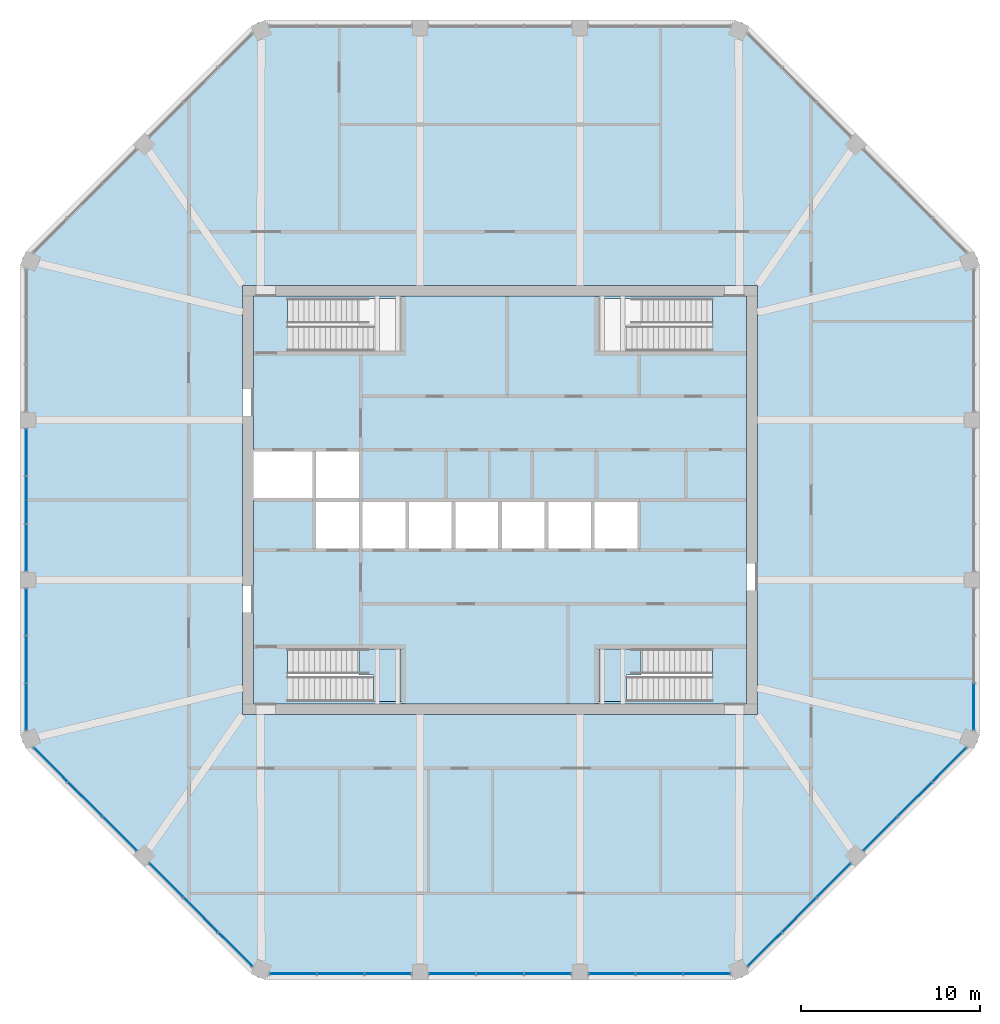
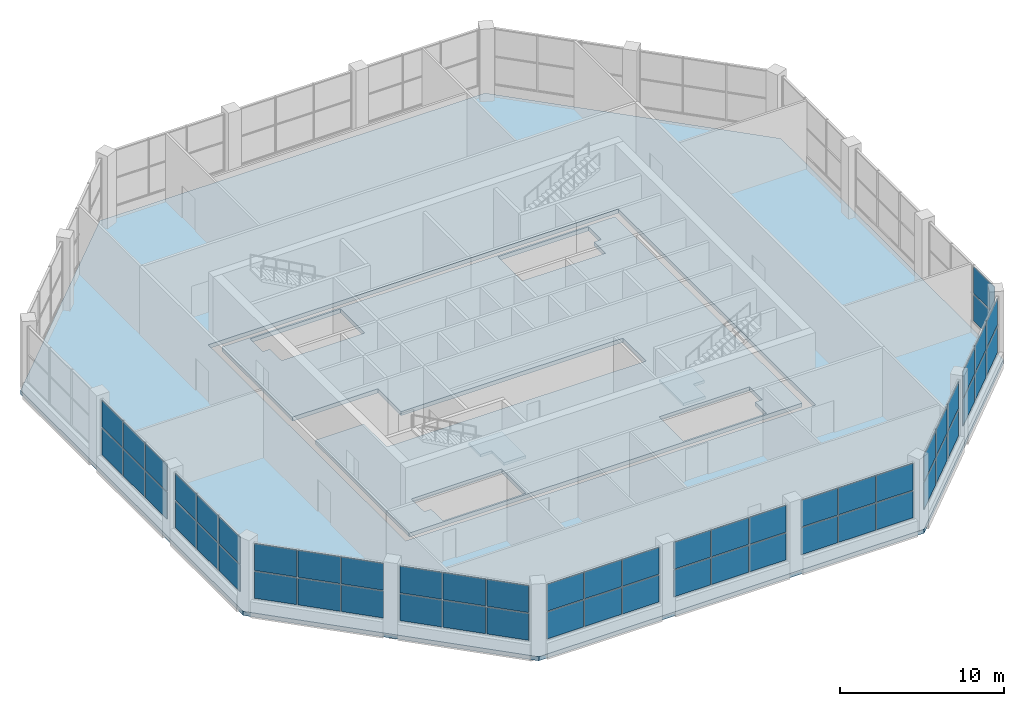
# One storey, part 9 of 15: 56 plates, 4 slabs, 12 elements without a shape of their own.
"""IFC4 building model written with IfcOpenShell, lengths in metres."""

from ifc_helpers import new_model, si_unit, direction, frame, origin, origin_2d, place, context, subcontext, project, spatial, polyline, rectangle, outline, extrude, material, layer, layer_set, type_object, element, aggregate, save


model = new_model("IFC4")

# Units and contexts
model_context = context("Model", 3, precision=1e-05, world=origin(), true_north=direction((0.0, 1.0)))
body_context = subcontext(model_context, "Body", "Model", "MODEL_VIEW")
ifc_project = project(units=[si_unit("LENGTHUNIT", "METRE"), si_unit("AREAUNIT", "SQUARE_METRE"), si_unit("VOLUMEUNIT", "CUBIC_METRE"), si_unit("PLANEANGLEUNIT", "RADIAN"), si_unit("MASSUNIT", "GRAM", prefix="KILO")], contexts=[model_context])

# Site, building, storey
site_placement = place(None, origin())
site = spatial("IfcSite", under=ifc_project, at=site_placement, CompositionType="ELEMENT")
building_placement = place(site_placement, origin())
building = spatial("IfcBuilding", under=site, at=building_placement, Name="Msitu Wima Residences", CompositionType="ELEMENT")
storey_placement = place(building_placement, frame((0.0, 0.0, 314.699951171875)))
storey = spatial("IfcBuildingStorey", under=building, at=storey_placement, Name="L73", CompositionType="ELEMENT", Elevation=314.699951171875)

# Slab
ifc_material_1 = material(Name="Concrete C40/50", Category="concrete")
ifc_layer_1 = layer(ifc_material_1, 0.300048828125)
ifc_layer_set_1 = layer_set([ifc_layer_1], Name="Concrete C40/50")
slab_type_1 = type_object("IfcSlabType", Name="Core floor CF300", PredefinedType="FLOOR", material=ifc_layer_set_1)
slab_1_placement = place(storey_placement, frame((0.0, 0.0, -0.300048828125)))
element("IfcSlab", 1, at=slab_1_placement, inside=storey, type_object=slab_type_1, Name="Core floor", PredefinedType="FLOOR", context=body_context, shape_type="SweptSolid", body=[
    extrude(outline(polyline([(-13.800048828125, 11.39990234375), (-13.800048828125, 2.800048828125), (-10.39990234375, 2.800048828125), (-7.800048828125, 2.800048828125), (-7.800048828125, 0.0), (-5.199951171875, 0.0), (-2.60009765625, 0.0), (0.0, 0.0), (2.60009765625, 0.0), (5.199951171875, 0.0), (7.800048828125, 0.0), (7.800048828125, -2.800048828125), (5.199951171875, -2.800048828125), (2.60009765625, -2.800048828125), (0.0, -2.800048828125), (-2.60009765625, -2.800048828125), (-5.199951171875, -2.800048828125), (-7.800048828125, -2.800048828125), (-10.39990234375, -2.800048828125), (-10.39990234375, 0.0), (-13.800048828125, 0.0), (-13.800048828125, -11.39990234375), (13.800048828125, -11.39990234375), (13.800048828125, 11.39990234375), (-13.800048828125, 11.39990234375)]), holes=[polyline([(-11.375, -11.27490234375), (-11.375, -9.875), (-11.87451171875, -9.875), (-11.87451171875, -8.324951171875), (-5.52490234375, -8.324951171875), (-5.52490234375, -11.27490234375), (-11.375, -11.27490234375)]), polyline([(-11.375, 8.324951171875), (-11.375, 9.72509765625), (-11.87451171875, 9.72509765625), (-11.87451171875, 11.27490234375), (-5.52490234375, 11.27490234375), (-5.52490234375, 8.324951171875), (-11.375, 8.324951171875)]), polyline([(11.375, -9.875), (11.375, -11.27490234375), (5.52490234375, -11.27490234375), (5.52490234375, -8.324951171875), (11.87451171875, -8.324951171875), (11.87451171875, -9.875), (11.375, -9.875)]), polyline([(11.375, 9.72509765625), (11.375, 8.324951171875), (5.52490234375, 8.324951171875), (5.52490234375, 11.27490234375), (11.87451171875, 11.27490234375), (11.87451171875, 9.72509765625), (11.375, 9.72509765625)])]), origin(), (0.0, 0.0, 1.0), 0.300048828125),
])

# Curtain wall, plates
ifc_material_2 = material(Name="Anodised aluminium, bronze finish, solar control laminated double glazing", Category="aluminium")
curtain_wall_type = type_object("IfcCurtainWallType", Name="Curtain wall CW3 top lounge wall", PredefinedType="NOTDEFINED", material=ifc_material_2)
curtain_wall_1_placement = place(storey_placement, origin())
curtain_wall_1 = element("IfcCurtainWall", 2, at=curtain_wall_1_placement, inside=storey, type_object=curtain_wall_type, Name="Curtain wall CW3 L73 E0", PredefinedType="NOTDEFINED")
ifc_material_3 = material(Name="Solar control laminated double glazing", Category="glass")
ifc_layer_2 = layer(ifc_material_3, 0.0400390625)
ifc_layer_set_2 = layer_set([ifc_layer_2], Name="Solar control laminated double glazing")
plate_type = type_object("IfcPlateType", Name="Glass panel CW3 40", PredefinedType="CURTAIN_PANEL", material=ifc_layer_set_2)
plate_1_placement = place(storey_placement, frame((26.5, -11.566650390625, 0.97509765625), z_axis=(0.0, 0.0, 1.0), x_axis=(0.0, 1.0, 0.0)))
plate_1 = element("IfcPlate", 3, at=plate_1_placement, type_object=plate_type, Name="CW3 panel 1.1", PredefinedType="CURTAIN_PANEL", context=body_context, shape_type="SweptSolid", body=[
    extrude(rectangle(XDim=2.55419921875, YDim=0.0400390625, at=origin_2d()), origin(), (0.0, 0.0, 1.0), 1.987548828125),
])
plate_2_placement = place(storey_placement, frame((26.5, -11.566650390625, 3.03759765625), z_axis=(0.0, 0.0, 1.0), x_axis=(0.0, 1.0, 0.0)))
plate_2 = element("IfcPlate", 4, at=plate_2_placement, type_object=plate_type, Name="CW3 panel 1.2", PredefinedType="CURTAIN_PANEL", context=body_context, shape_type="SweptSolid", body=[
    extrude(rectangle(XDim=2.55419921875, YDim=0.0400390625, at=origin_2d()), origin(), (0.0, 0.0, 1.0), 1.987548828125),
])
aggregate(curtain_wall_1, [plate_1, plate_2])

curtain_wall_2_placement = place(storey_placement, origin())
curtain_wall_2 = element("IfcCurtainWall", 5, at=curtain_wall_2_placement, inside=storey, type_object=curtain_wall_type, Name="Curtain wall CW3 L73 W1", PredefinedType="NOTDEFINED")
plate_3_placement = place(storey_placement, frame((-26.5, 2.660400390625, 0.97509765625), z_axis=(0.0, 0.0, 1.0), x_axis=(0.0, -1.0, 0.0)))
plate_3 = element("IfcPlate", 6, at=plate_3_placement, type_object=plate_type, Name="CW3 panel 1.1", PredefinedType="CURTAIN_PANEL", context=body_context, shape_type="SweptSolid", body=[
    extrude(rectangle(XDim=2.566650390625, YDim=0.0400390625, at=origin_2d()), origin(), (0.0, 0.0, 1.0), 1.987548828125),
])
plate_4_placement = place(storey_placement, frame((-26.5, 2.660400390625, 3.03759765625), z_axis=(0.0, 0.0, 1.0), x_axis=(0.0, -1.0, 0.0)))
plate_4 = element("IfcPlate", 7, at=plate_4_placement, type_object=plate_type, Name="CW3 panel 1.2", PredefinedType="CURTAIN_PANEL", context=body_context, shape_type="SweptSolid", body=[
    extrude(rectangle(XDim=2.566650390625, YDim=0.0400390625, at=origin_2d()), origin(), (0.0, 0.0, 1.0), 1.987548828125),
])
plate_5_placement = place(storey_placement, frame((-26.5, 0.0, 0.97509765625), z_axis=(0.0, 0.0, 1.0), x_axis=(0.0, -1.0, 0.0)))
plate_5 = element("IfcPlate", 8, at=plate_5_placement, type_object=plate_type, Name="CW3 panel 2.1", PredefinedType="CURTAIN_PANEL", context=body_context, shape_type="SweptSolid", body=[
    extrude(rectangle(XDim=2.60400390625, YDim=0.0400390625, at=origin_2d()), origin(), (0.0, 0.0, 1.0), 1.987548828125),
])
plate_6_placement = place(storey_placement, frame((-26.5, 0.0, 3.03759765625), z_axis=(0.0, 0.0, 1.0), x_axis=(0.0, -1.0, 0.0)))
plate_6 = element("IfcPlate", 9, at=plate_6_placement, type_object=plate_type, Name="CW3 panel 2.2", PredefinedType="CURTAIN_PANEL", context=body_context, shape_type="SweptSolid", body=[
    extrude(rectangle(XDim=2.60400390625, YDim=0.0400390625, at=origin_2d()), origin(), (0.0, 0.0, 1.0), 1.987548828125),
])
plate_7_placement = place(storey_placement, frame((-26.5, -2.660400390625, 0.97509765625), z_axis=(0.0, 0.0, 1.0), x_axis=(0.0, -1.0, 0.0)))
plate_7 = element("IfcPlate", 10, at=plate_7_placement, type_object=plate_type, Name="CW3 panel 3.1", PredefinedType="CURTAIN_PANEL", context=body_context, shape_type="SweptSolid", body=[
    extrude(rectangle(XDim=2.566650390625, YDim=0.0400390625, at=origin_2d()), origin(), (0.0, 0.0, 1.0), 1.987548828125),
])
plate_8_placement = place(storey_placement, frame((-26.5, -2.660400390625, 3.03759765625), z_axis=(0.0, 0.0, 1.0), x_axis=(0.0, -1.0, 0.0)))
plate_8 = element("IfcPlate", 11, at=plate_8_placement, type_object=plate_type, Name="CW3 panel 3.2", PredefinedType="CURTAIN_PANEL", context=body_context, shape_type="SweptSolid", body=[
    extrude(rectangle(XDim=2.566650390625, YDim=0.0400390625, at=origin_2d()), origin(), (0.0, 0.0, 1.0), 1.987548828125),
])
aggregate(curtain_wall_2, [plate_3, plate_4, plate_5, plate_6, plate_7, plate_8])

curtain_wall_3_placement = place(storey_placement, origin())
curtain_wall_3 = element("IfcCurtainWall", 12, at=curtain_wall_3_placement, inside=storey, type_object=curtain_wall_type, Name="Curtain wall CW3 L73 W2", PredefinedType="NOTDEFINED")
plate_9_placement = place(storey_placement, frame((-26.5, -6.270751953125, 0.97509765625), z_axis=(0.0, 0.0, 1.0), x_axis=(0.0, -1.0, 0.0)))
plate_9 = element("IfcPlate", 13, at=plate_9_placement, type_object=plate_type, Name="CW3 panel 1.1", PredefinedType="CURTAIN_PANEL", context=body_context, shape_type="SweptSolid", body=[
    extrude(rectangle(XDim=2.55419921875, YDim=0.0400390625, at=origin_2d()), origin(), (0.0, 0.0, 1.0), 1.987548828125),
])
plate_10_placement = place(storey_placement, frame((-26.5, -6.270751953125, 3.03759765625), z_axis=(0.0, 0.0, 1.0), x_axis=(0.0, -1.0, 0.0)))
plate_10 = element("IfcPlate", 14, at=plate_10_placement, type_object=plate_type, Name="CW3 panel 1.2", PredefinedType="CURTAIN_PANEL", context=body_context, shape_type="SweptSolid", body=[
    extrude(rectangle(XDim=2.55419921875, YDim=0.0400390625, at=origin_2d()), origin(), (0.0, 0.0, 1.0), 1.987548828125),
])
plate_11_placement = place(storey_placement, frame((-26.5, -8.918701171875, 0.97509765625), z_axis=(0.0, 0.0, 1.0), x_axis=(0.0, -1.0, 0.0)))
plate_11 = element("IfcPlate", 15, at=plate_11_placement, type_object=plate_type, Name="CW3 panel 2.1", PredefinedType="CURTAIN_PANEL", context=body_context, shape_type="SweptSolid", body=[
    extrude(rectangle(XDim=2.591796875, YDim=0.0400390625, at=origin_2d()), origin(), (0.0, 0.0, 1.0), 1.987548828125),
])
plate_12_placement = place(storey_placement, frame((-26.5, -8.918701171875, 3.03759765625), z_axis=(0.0, 0.0, 1.0), x_axis=(0.0, -1.0, 0.0)))
plate_12 = element("IfcPlate", 16, at=plate_12_placement, type_object=plate_type, Name="CW3 panel 2.2", PredefinedType="CURTAIN_PANEL", context=body_context, shape_type="SweptSolid", body=[
    extrude(rectangle(XDim=2.591796875, YDim=0.0400390625, at=origin_2d()), origin(), (0.0, 0.0, 1.0), 1.987548828125),
])
plate_13_placement = place(storey_placement, frame((-26.5, -11.566650390625, 0.97509765625), z_axis=(0.0, 0.0, 1.0), x_axis=(0.0, -1.0, 0.0)))
plate_13 = element("IfcPlate", 17, at=plate_13_placement, type_object=plate_type, Name="CW3 panel 3.1", PredefinedType="CURTAIN_PANEL", context=body_context, shape_type="SweptSolid", body=[
    extrude(rectangle(XDim=2.55419921875, YDim=0.0400390625, at=origin_2d()), origin(), (0.0, 0.0, 1.0), 1.987548828125),
])
plate_14_placement = place(storey_placement, frame((-26.5, -11.566650390625, 3.03759765625), z_axis=(0.0, 0.0, 1.0), x_axis=(0.0, -1.0, 0.0)))
plate_14 = element("IfcPlate", 18, at=plate_14_placement, type_object=plate_type, Name="CW3 panel 3.2", PredefinedType="CURTAIN_PANEL", context=body_context, shape_type="SweptSolid", body=[
    extrude(rectangle(XDim=2.55419921875, YDim=0.0400390625, at=origin_2d()), origin(), (0.0, 0.0, 1.0), 1.987548828125),
])
aggregate(curtain_wall_3, [plate_9, plate_10, plate_11, plate_12, plate_13, plate_14])

curtain_wall_4_placement = place(storey_placement, origin())
curtain_wall_4 = element("IfcCurtainWall", 19, at=curtain_wall_4_placement, inside=storey, type_object=curtain_wall_type, Name="Curtain wall CW3 L73 SW0", PredefinedType="NOTDEFINED")
plate_15_placement = place(storey_placement, frame((-25.140625, -14.806640625, 0.97509765625), z_axis=(0.0, 0.0, 1.0), x_axis=(0.707106781187, -0.707106781187, 0.0)))
plate_15 = element("IfcPlate", 20, at=plate_15_placement, type_object=plate_type, Name="CW3 panel 1.1", PredefinedType="CURTAIN_PANEL", context=body_context, shape_type="SweptSolid", body=[
    extrude(rectangle(XDim=2.637939453125, YDim=0.0400390625, at=origin_2d()), origin(), (0.0, 0.0, 1.0), 1.987548828125),
])
plate_16_placement = place(storey_placement, frame((-25.140625, -14.806640625, 3.03759765625), z_axis=(0.0, 0.0, 1.0), x_axis=(0.707106781187, -0.707106781187, 0.0)))
plate_16 = element("IfcPlate", 21, at=plate_16_placement, type_object=plate_type, Name="CW3 panel 1.2", PredefinedType="CURTAIN_PANEL", context=body_context, shape_type="SweptSolid", body=[
    extrude(rectangle(XDim=2.637939453125, YDim=0.0400390625, at=origin_2d()), origin(), (0.0, 0.0, 1.0), 1.987548828125),
])
plate_17_placement = place(storey_placement, frame((-23.208984375, -16.73828125, 0.97509765625), z_axis=(0.0, 0.0, 1.0), x_axis=(0.707106781187, -0.707106781187, 0.0)))
plate_17 = element("IfcPlate", 22, at=plate_17_placement, type_object=plate_type, Name="CW3 panel 2.1", PredefinedType="CURTAIN_PANEL", context=body_context, shape_type="SweptSolid", body=[
    extrude(rectangle(XDim=2.67529296875, YDim=0.0400390625, at=origin_2d()), origin(), (0.0, 0.0, 1.0), 1.987548828125),
])
plate_18_placement = place(storey_placement, frame((-23.208984375, -16.73828125, 3.03759765625), z_axis=(0.0, 0.0, 1.0), x_axis=(0.707106781187, -0.707106781187, 0.0)))
plate_18 = element("IfcPlate", 23, at=plate_18_placement, type_object=plate_type, Name="CW3 panel 2.2", PredefinedType="CURTAIN_PANEL", context=body_context, shape_type="SweptSolid", body=[
    extrude(rectangle(XDim=2.67529296875, YDim=0.0400390625, at=origin_2d()), origin(), (0.0, 0.0, 1.0), 1.987548828125),
])
plate_19_placement = place(storey_placement, frame((-21.277587890625, -18.669677734375, 0.97509765625), z_axis=(0.0, 0.0, 1.0), x_axis=(0.707106781187, -0.707106781187, 0.0)))
plate_19 = element("IfcPlate", 24, at=plate_19_placement, type_object=plate_type, Name="CW3 panel 3.1", PredefinedType="CURTAIN_PANEL", context=body_context, shape_type="SweptSolid", body=[
    extrude(rectangle(XDim=2.637939453125, YDim=0.0400390625, at=origin_2d()), origin(), (0.0, 0.0, 1.0), 1.987548828125),
])
plate_20_placement = place(storey_placement, frame((-21.277587890625, -18.669677734375, 3.03759765625), z_axis=(0.0, 0.0, 1.0), x_axis=(0.707106781187, -0.707106781187, 0.0)))
plate_20 = element("IfcPlate", 25, at=plate_20_placement, type_object=plate_type, Name="CW3 panel 3.2", PredefinedType="CURTAIN_PANEL", context=body_context, shape_type="SweptSolid", body=[
    extrude(rectangle(XDim=2.637939453125, YDim=0.0400390625, at=origin_2d()), origin(), (0.0, 0.0, 1.0), 1.987548828125),
])
aggregate(curtain_wall_4, [plate_15, plate_16, plate_17, plate_18, plate_19, plate_20])

curtain_wall_5_placement = place(storey_placement, origin())
curtain_wall_5 = element("IfcCurtainWall", 26, at=curtain_wall_5_placement, inside=storey, type_object=curtain_wall_type, Name="Curtain wall CW3 L73 SW1", PredefinedType="NOTDEFINED")
plate_21_placement = place(storey_placement, frame((-18.669677734375, -21.277587890625, 0.97509765625), z_axis=(0.0, 0.0, 1.0), x_axis=(0.707106841783, -0.707106720591, 0.0)))
plate_21 = element("IfcPlate", 27, at=plate_21_placement, type_object=plate_type, Name="CW3 panel 1.1", PredefinedType="CURTAIN_PANEL", context=body_context, shape_type="SweptSolid", body=[
    extrude(rectangle(XDim=2.637939453125, YDim=0.0400390625, at=origin_2d()), origin(), (0.0, 0.0, 1.0), 1.987548828125),
])
plate_22_placement = place(storey_placement, frame((-18.669677734375, -21.277587890625, 3.03759765625), z_axis=(0.0, 0.0, 1.0), x_axis=(0.707106841783, -0.707106720591, 0.0)))
plate_22 = element("IfcPlate", 28, at=plate_22_placement, type_object=plate_type, Name="CW3 panel 1.2", PredefinedType="CURTAIN_PANEL", context=body_context, shape_type="SweptSolid", body=[
    extrude(rectangle(XDim=2.637939453125, YDim=0.0400390625, at=origin_2d()), origin(), (0.0, 0.0, 1.0), 1.987548828125),
])
plate_23_placement = place(storey_placement, frame((-16.73828125, -23.208984375, 0.97509765625), z_axis=(0.0, 0.0, 1.0), x_axis=(0.707106841783, -0.707106720591, 0.0)))
plate_23 = element("IfcPlate", 29, at=plate_23_placement, type_object=plate_type, Name="CW3 panel 2.1", PredefinedType="CURTAIN_PANEL", context=body_context, shape_type="SweptSolid", body=[
    extrude(rectangle(XDim=2.67529296875, YDim=0.0400390625, at=origin_2d()), origin(), (0.0, 0.0, 1.0), 1.987548828125),
])
plate_24_placement = place(storey_placement, frame((-16.73828125, -23.208984375, 3.03759765625), z_axis=(0.0, 0.0, 1.0), x_axis=(0.707106841783, -0.707106720591, 0.0)))
plate_24 = element("IfcPlate", 30, at=plate_24_placement, type_object=plate_type, Name="CW3 panel 2.2", PredefinedType="CURTAIN_PANEL", context=body_context, shape_type="SweptSolid", body=[
    extrude(rectangle(XDim=2.67529296875, YDim=0.0400390625, at=origin_2d()), origin(), (0.0, 0.0, 1.0), 1.987548828125),
])
plate_25_placement = place(storey_placement, frame((-14.806640625, -25.140625, 0.97509765625), z_axis=(0.0, 0.0, 1.0), x_axis=(0.707106841783, -0.707106720591, 0.0)))
plate_25 = element("IfcPlate", 31, at=plate_25_placement, type_object=plate_type, Name="CW3 panel 3.1", PredefinedType="CURTAIN_PANEL", context=body_context, shape_type="SweptSolid", body=[
    extrude(rectangle(XDim=2.637939453125, YDim=0.0400390625, at=origin_2d()), origin(), (0.0, 0.0, 1.0), 1.987548828125),
])
plate_26_placement = place(storey_placement, frame((-14.806640625, -25.140625, 3.03759765625), z_axis=(0.0, 0.0, 1.0), x_axis=(0.707106841783, -0.707106720591, 0.0)))
plate_26 = element("IfcPlate", 32, at=plate_26_placement, type_object=plate_type, Name="CW3 panel 3.2", PredefinedType="CURTAIN_PANEL", context=body_context, shape_type="SweptSolid", body=[
    extrude(rectangle(XDim=2.637939453125, YDim=0.0400390625, at=origin_2d()), origin(), (0.0, 0.0, 1.0), 1.987548828125),
])
aggregate(curtain_wall_5, [plate_21, plate_22, plate_23, plate_24, plate_25, plate_26])

curtain_wall_6_placement = place(storey_placement, origin())
curtain_wall_6 = element("IfcCurtainWall", 33, at=curtain_wall_6_placement, inside=storey, type_object=curtain_wall_type, Name="Curtain wall CW3 L73 S0", PredefinedType="NOTDEFINED")
plate_27_placement = place(storey_placement, frame((-11.566650390625, -26.5, 0.97509765625), z_axis=(0.0, 0.0, 1.0), x_axis=(1.0, 0.0, 0.0)))
plate_27 = element("IfcPlate", 34, at=plate_27_placement, type_object=plate_type, Name="CW3 panel 1.1", PredefinedType="CURTAIN_PANEL", context=body_context, shape_type="SweptSolid", body=[
    extrude(rectangle(XDim=2.55419921875, YDim=0.0400390625, at=origin_2d()), origin(), (0.0, 0.0, 1.0), 1.987548828125),
])
plate_28_placement = place(storey_placement, frame((-11.566650390625, -26.5, 3.03759765625), z_axis=(0.0, 0.0, 1.0), x_axis=(1.0, 0.0, 0.0)))
plate_28 = element("IfcPlate", 35, at=plate_28_placement, type_object=plate_type, Name="CW3 panel 1.2", PredefinedType="CURTAIN_PANEL", context=body_context, shape_type="SweptSolid", body=[
    extrude(rectangle(XDim=2.55419921875, YDim=0.0400390625, at=origin_2d()), origin(), (0.0, 0.0, 1.0), 1.987548828125),
])
plate_29_placement = place(storey_placement, frame((-8.918701171875, -26.5, 0.97509765625), z_axis=(0.0, 0.0, 1.0), x_axis=(1.0, 0.0, 0.0)))
plate_29 = element("IfcPlate", 36, at=plate_29_placement, type_object=plate_type, Name="CW3 panel 2.1", PredefinedType="CURTAIN_PANEL", context=body_context, shape_type="SweptSolid", body=[
    extrude(rectangle(XDim=2.591796875, YDim=0.0400390625, at=origin_2d()), origin(), (0.0, 0.0, 1.0), 1.987548828125),
])
plate_30_placement = place(storey_placement, frame((-8.918701171875, -26.5, 3.03759765625), z_axis=(0.0, 0.0, 1.0), x_axis=(1.0, 0.0, 0.0)))
plate_30 = element("IfcPlate", 37, at=plate_30_placement, type_object=plate_type, Name="CW3 panel 2.2", PredefinedType="CURTAIN_PANEL", context=body_context, shape_type="SweptSolid", body=[
    extrude(rectangle(XDim=2.591796875, YDim=0.0400390625, at=origin_2d()), origin(), (0.0, 0.0, 1.0), 1.987548828125),
])
plate_31_placement = place(storey_placement, frame((-6.270751953125, -26.5, 0.97509765625), z_axis=(0.0, 0.0, 1.0), x_axis=(1.0, 0.0, 0.0)))
plate_31 = element("IfcPlate", 38, at=plate_31_placement, type_object=plate_type, Name="CW3 panel 3.1", PredefinedType="CURTAIN_PANEL", context=body_context, shape_type="SweptSolid", body=[
    extrude(rectangle(XDim=2.55419921875, YDim=0.0400390625, at=origin_2d()), origin(), (0.0, 0.0, 1.0), 1.987548828125),
])
plate_32_placement = place(storey_placement, frame((-6.270751953125, -26.5, 3.03759765625), z_axis=(0.0, 0.0, 1.0), x_axis=(1.0, 0.0, 0.0)))
plate_32 = element("IfcPlate", 39, at=plate_32_placement, type_object=plate_type, Name="CW3 panel 3.2", PredefinedType="CURTAIN_PANEL", context=body_context, shape_type="SweptSolid", body=[
    extrude(rectangle(XDim=2.55419921875, YDim=0.0400390625, at=origin_2d()), origin(), (0.0, 0.0, 1.0), 1.987548828125),
])
aggregate(curtain_wall_6, [plate_27, plate_28, plate_29, plate_30, plate_31, plate_32])

curtain_wall_7_placement = place(storey_placement, origin())
curtain_wall_7 = element("IfcCurtainWall", 40, at=curtain_wall_7_placement, inside=storey, type_object=curtain_wall_type, Name="Curtain wall CW3 L73 S1", PredefinedType="NOTDEFINED")
plate_33_placement = place(storey_placement, frame((-2.660400390625, -26.5, 0.97509765625), z_axis=(0.0, 0.0, 1.0), x_axis=(1.0, 0.0, 0.0)))
plate_33 = element("IfcPlate", 41, at=plate_33_placement, type_object=plate_type, Name="CW3 panel 1.1", PredefinedType="CURTAIN_PANEL", context=body_context, shape_type="SweptSolid", body=[
    extrude(rectangle(XDim=2.566650390625, YDim=0.0400390625, at=origin_2d()), origin(), (0.0, 0.0, 1.0), 1.987548828125),
])
plate_34_placement = place(storey_placement, frame((-2.660400390625, -26.5, 3.03759765625), z_axis=(0.0, 0.0, 1.0), x_axis=(1.0, 0.0, 0.0)))
plate_34 = element("IfcPlate", 42, at=plate_34_placement, type_object=plate_type, Name="CW3 panel 1.2", PredefinedType="CURTAIN_PANEL", context=body_context, shape_type="SweptSolid", body=[
    extrude(rectangle(XDim=2.566650390625, YDim=0.0400390625, at=origin_2d()), origin(), (0.0, 0.0, 1.0), 1.987548828125),
])
plate_35_placement = place(storey_placement, frame((0.0, -26.5, 0.97509765625), z_axis=(0.0, 0.0, 1.0), x_axis=(1.0, 0.0, 0.0)))
plate_35 = element("IfcPlate", 43, at=plate_35_placement, type_object=plate_type, Name="CW3 panel 2.1", PredefinedType="CURTAIN_PANEL", context=body_context, shape_type="SweptSolid", body=[
    extrude(rectangle(XDim=2.60400390625, YDim=0.0400390625, at=origin_2d()), origin(), (0.0, 0.0, 1.0), 1.987548828125),
])
plate_36_placement = place(storey_placement, frame((0.0, -26.5, 3.03759765625), z_axis=(0.0, 0.0, 1.0), x_axis=(1.0, 0.0, 0.0)))
plate_36 = element("IfcPlate", 44, at=plate_36_placement, type_object=plate_type, Name="CW3 panel 2.2", PredefinedType="CURTAIN_PANEL", context=body_context, shape_type="SweptSolid", body=[
    extrude(rectangle(XDim=2.60400390625, YDim=0.0400390625, at=origin_2d()), origin(), (0.0, 0.0, 1.0), 1.987548828125),
])
plate_37_placement = place(storey_placement, frame((2.660400390625, -26.5, 0.97509765625), z_axis=(0.0, 0.0, 1.0), x_axis=(1.0, 0.0, 0.0)))
plate_37 = element("IfcPlate", 45, at=plate_37_placement, type_object=plate_type, Name="CW3 panel 3.1", PredefinedType="CURTAIN_PANEL", context=body_context, shape_type="SweptSolid", body=[
    extrude(rectangle(XDim=2.566650390625, YDim=0.0400390625, at=origin_2d()), origin(), (0.0, 0.0, 1.0), 1.987548828125),
])
plate_38_placement = place(storey_placement, frame((2.660400390625, -26.5, 3.03759765625), z_axis=(0.0, 0.0, 1.0), x_axis=(1.0, 0.0, 0.0)))
plate_38 = element("IfcPlate", 46, at=plate_38_placement, type_object=plate_type, Name="CW3 panel 3.2", PredefinedType="CURTAIN_PANEL", context=body_context, shape_type="SweptSolid", body=[
    extrude(rectangle(XDim=2.566650390625, YDim=0.0400390625, at=origin_2d()), origin(), (0.0, 0.0, 1.0), 1.987548828125),
])
aggregate(curtain_wall_7, [plate_33, plate_34, plate_35, plate_36, plate_37, plate_38])

curtain_wall_8_placement = place(storey_placement, origin())
curtain_wall_8 = element("IfcCurtainWall", 47, at=curtain_wall_8_placement, inside=storey, type_object=curtain_wall_type, Name="Curtain wall CW3 L73 S2", PredefinedType="NOTDEFINED")
plate_39_placement = place(storey_placement, frame((6.270751953125, -26.5, 0.97509765625), z_axis=(0.0, 0.0, 1.0), x_axis=(1.0, 0.0, 0.0)))
plate_39 = element("IfcPlate", 48, at=plate_39_placement, type_object=plate_type, Name="CW3 panel 1.1", PredefinedType="CURTAIN_PANEL", context=body_context, shape_type="SweptSolid", body=[
    extrude(rectangle(XDim=2.55419921875, YDim=0.0400390625, at=origin_2d()), origin(), (0.0, 0.0, 1.0), 1.987548828125),
])
plate_40_placement = place(storey_placement, frame((6.270751953125, -26.5, 3.03759765625), z_axis=(0.0, 0.0, 1.0), x_axis=(1.0, 0.0, 0.0)))
plate_40 = element("IfcPlate", 49, at=plate_40_placement, type_object=plate_type, Name="CW3 panel 1.2", PredefinedType="CURTAIN_PANEL", context=body_context, shape_type="SweptSolid", body=[
    extrude(rectangle(XDim=2.55419921875, YDim=0.0400390625, at=origin_2d()), origin(), (0.0, 0.0, 1.0), 1.987548828125),
])
plate_41_placement = place(storey_placement, frame((8.918701171875, -26.5, 0.97509765625), z_axis=(0.0, 0.0, 1.0), x_axis=(1.0, 0.0, 0.0)))
plate_41 = element("IfcPlate", 50, at=plate_41_placement, type_object=plate_type, Name="CW3 panel 2.1", PredefinedType="CURTAIN_PANEL", context=body_context, shape_type="SweptSolid", body=[
    extrude(rectangle(XDim=2.591796875, YDim=0.0400390625, at=origin_2d()), origin(), (0.0, 0.0, 1.0), 1.987548828125),
])
plate_42_placement = place(storey_placement, frame((8.918701171875, -26.5, 3.03759765625), z_axis=(0.0, 0.0, 1.0), x_axis=(1.0, 0.0, 0.0)))
plate_42 = element("IfcPlate", 51, at=plate_42_placement, type_object=plate_type, Name="CW3 panel 2.2", PredefinedType="CURTAIN_PANEL", context=body_context, shape_type="SweptSolid", body=[
    extrude(rectangle(XDim=2.591796875, YDim=0.0400390625, at=origin_2d()), origin(), (0.0, 0.0, 1.0), 1.987548828125),
])
plate_43_placement = place(storey_placement, frame((11.566650390625, -26.5, 0.97509765625), z_axis=(0.0, 0.0, 1.0), x_axis=(1.0, 0.0, 0.0)))
plate_43 = element("IfcPlate", 52, at=plate_43_placement, type_object=plate_type, Name="CW3 panel 3.1", PredefinedType="CURTAIN_PANEL", context=body_context, shape_type="SweptSolid", body=[
    extrude(rectangle(XDim=2.55419921875, YDim=0.0400390625, at=origin_2d()), origin(), (0.0, 0.0, 1.0), 1.987548828125),
])
plate_44_placement = place(storey_placement, frame((11.566650390625, -26.5, 3.03759765625), z_axis=(0.0, 0.0, 1.0), x_axis=(1.0, 0.0, 0.0)))
plate_44 = element("IfcPlate", 53, at=plate_44_placement, type_object=plate_type, Name="CW3 panel 3.2", PredefinedType="CURTAIN_PANEL", context=body_context, shape_type="SweptSolid", body=[
    extrude(rectangle(XDim=2.55419921875, YDim=0.0400390625, at=origin_2d()), origin(), (0.0, 0.0, 1.0), 1.987548828125),
])
aggregate(curtain_wall_8, [plate_39, plate_40, plate_41, plate_42, plate_43, plate_44])

curtain_wall_9_placement = place(storey_placement, origin())
curtain_wall_9 = element("IfcCurtainWall", 54, at=curtain_wall_9_placement, inside=storey, type_object=curtain_wall_type, Name="Curtain wall CW3 L73 SE0", PredefinedType="NOTDEFINED")
plate_45_placement = place(storey_placement, frame((14.806640625, -25.140625, 0.97509765625), z_axis=(0.0, 0.0, 1.0), x_axis=(0.707106781187, 0.707106781187, 0.0)))
plate_45 = element("IfcPlate", 55, at=plate_45_placement, type_object=plate_type, Name="CW3 panel 1.1", PredefinedType="CURTAIN_PANEL", context=body_context, shape_type="SweptSolid", body=[
    extrude(rectangle(XDim=2.637939453125, YDim=0.0400390625, at=origin_2d()), origin(), (0.0, 0.0, 1.0), 1.987548828125),
])
plate_46_placement = place(storey_placement, frame((14.806640625, -25.140625, 3.03759765625), z_axis=(0.0, 0.0, 1.0), x_axis=(0.707106781187, 0.707106781187, 0.0)))
plate_46 = element("IfcPlate", 56, at=plate_46_placement, type_object=plate_type, Name="CW3 panel 1.2", PredefinedType="CURTAIN_PANEL", context=body_context, shape_type="SweptSolid", body=[
    extrude(rectangle(XDim=2.637939453125, YDim=0.0400390625, at=origin_2d()), origin(), (0.0, 0.0, 1.0), 1.987548828125),
])
plate_47_placement = place(storey_placement, frame((16.73828125, -23.208984375, 0.97509765625), z_axis=(0.0, 0.0, 1.0), x_axis=(0.707106781187, 0.707106781187, 0.0)))
plate_47 = element("IfcPlate", 57, at=plate_47_placement, type_object=plate_type, Name="CW3 panel 2.1", PredefinedType="CURTAIN_PANEL", context=body_context, shape_type="SweptSolid", body=[
    extrude(rectangle(XDim=2.67529296875, YDim=0.0400390625, at=origin_2d()), origin(), (0.0, 0.0, 1.0), 1.987548828125),
])
plate_48_placement = place(storey_placement, frame((16.73828125, -23.208984375, 3.03759765625), z_axis=(0.0, 0.0, 1.0), x_axis=(0.707106781187, 0.707106781187, 0.0)))
plate_48 = element("IfcPlate", 58, at=plate_48_placement, type_object=plate_type, Name="CW3 panel 2.2", PredefinedType="CURTAIN_PANEL", context=body_context, shape_type="SweptSolid", body=[
    extrude(rectangle(XDim=2.67529296875, YDim=0.0400390625, at=origin_2d()), origin(), (0.0, 0.0, 1.0), 1.987548828125),
])
plate_49_placement = place(storey_placement, frame((18.669677734375, -21.277587890625, 0.97509765625), z_axis=(0.0, 0.0, 1.0), x_axis=(0.707106781187, 0.707106781187, 0.0)))
plate_49 = element("IfcPlate", 59, at=plate_49_placement, type_object=plate_type, Name="CW3 panel 3.1", PredefinedType="CURTAIN_PANEL", context=body_context, shape_type="SweptSolid", body=[
    extrude(rectangle(XDim=2.637939453125, YDim=0.0400390625, at=origin_2d()), origin(), (0.0, 0.0, 1.0), 1.987548828125),
])
plate_50_placement = place(storey_placement, frame((18.669677734375, -21.277587890625, 3.03759765625), z_axis=(0.0, 0.0, 1.0), x_axis=(0.707106781187, 0.707106781187, 0.0)))
plate_50 = element("IfcPlate", 60, at=plate_50_placement, type_object=plate_type, Name="CW3 panel 3.2", PredefinedType="CURTAIN_PANEL", context=body_context, shape_type="SweptSolid", body=[
    extrude(rectangle(XDim=2.637939453125, YDim=0.0400390625, at=origin_2d()), origin(), (0.0, 0.0, 1.0), 1.987548828125),
])
aggregate(curtain_wall_9, [plate_45, plate_46, plate_47, plate_48, plate_49, plate_50])

curtain_wall_10_placement = place(storey_placement, origin())
curtain_wall_10 = element("IfcCurtainWall", 61, at=curtain_wall_10_placement, inside=storey, type_object=curtain_wall_type, Name="Curtain wall CW3 L73 SE1", PredefinedType="NOTDEFINED")
plate_51_placement = place(storey_placement, frame((21.277587890625, -18.669677734375, 0.97509765625), z_axis=(0.0, 0.0, 1.0), x_axis=(0.707106720591, 0.707106841783, 0.0)))
plate_51 = element("IfcPlate", 62, at=plate_51_placement, type_object=plate_type, Name="CW3 panel 1.1", PredefinedType="CURTAIN_PANEL", context=body_context, shape_type="SweptSolid", body=[
    extrude(rectangle(XDim=2.637939453125, YDim=0.0400390625, at=origin_2d()), origin(), (0.0, 0.0, 1.0), 1.987548828125),
])
plate_52_placement = place(storey_placement, frame((21.277587890625, -18.669677734375, 3.03759765625), z_axis=(0.0, 0.0, 1.0), x_axis=(0.707106720591, 0.707106841783, 0.0)))
plate_52 = element("IfcPlate", 63, at=plate_52_placement, type_object=plate_type, Name="CW3 panel 1.2", PredefinedType="CURTAIN_PANEL", context=body_context, shape_type="SweptSolid", body=[
    extrude(rectangle(XDim=2.637939453125, YDim=0.0400390625, at=origin_2d()), origin(), (0.0, 0.0, 1.0), 1.987548828125),
])
plate_53_placement = place(storey_placement, frame((23.208984375, -16.73828125, 0.97509765625), z_axis=(0.0, 0.0, 1.0), x_axis=(0.707106720591, 0.707106841783, 0.0)))
plate_53 = element("IfcPlate", 64, at=plate_53_placement, type_object=plate_type, Name="CW3 panel 2.1", PredefinedType="CURTAIN_PANEL", context=body_context, shape_type="SweptSolid", body=[
    extrude(rectangle(XDim=2.67529296875, YDim=0.0400390625, at=origin_2d()), origin(), (0.0, 0.0, 1.0), 1.987548828125),
])
plate_54_placement = place(storey_placement, frame((23.208984375, -16.73828125, 3.03759765625), z_axis=(0.0, 0.0, 1.0), x_axis=(0.707106720591, 0.707106841783, 0.0)))
plate_54 = element("IfcPlate", 65, at=plate_54_placement, type_object=plate_type, Name="CW3 panel 2.2", PredefinedType="CURTAIN_PANEL", context=body_context, shape_type="SweptSolid", body=[
    extrude(rectangle(XDim=2.67529296875, YDim=0.0400390625, at=origin_2d()), origin(), (0.0, 0.0, 1.0), 1.987548828125),
])
plate_55_placement = place(storey_placement, frame((25.140625, -14.806640625, 0.97509765625), z_axis=(0.0, 0.0, 1.0), x_axis=(0.707106720591, 0.707106841783, 0.0)))
plate_55 = element("IfcPlate", 66, at=plate_55_placement, type_object=plate_type, Name="CW3 panel 3.1", PredefinedType="CURTAIN_PANEL", context=body_context, shape_type="SweptSolid", body=[
    extrude(rectangle(XDim=2.637939453125, YDim=0.0400390625, at=origin_2d()), origin(), (0.0, 0.0, 1.0), 1.987548828125),
])
plate_56_placement = place(storey_placement, frame((25.140625, -14.806640625, 3.03759765625), z_axis=(0.0, 0.0, 1.0), x_axis=(0.707106720591, 0.707106841783, 0.0)))
plate_56 = element("IfcPlate", 67, at=plate_56_placement, type_object=plate_type, Name="CW3 panel 3.2", PredefinedType="CURTAIN_PANEL", context=body_context, shape_type="SweptSolid", body=[
    extrude(rectangle(XDim=2.637939453125, YDim=0.0400390625, at=origin_2d()), origin(), (0.0, 0.0, 1.0), 1.987548828125),
])
aggregate(curtain_wall_10, [plate_51, plate_52, plate_53, plate_54, plate_55, plate_56])

# Slab
ifc_layer_3 = layer(ifc_material_1, 0.300048828125)
ifc_layer_set_3 = layer_set([ifc_layer_3], Name="Concrete C40/50")
slab_type_2 = type_object("IfcSlabType", Name="PT flat slab 300 Concrete C40/50", PredefinedType="FLOOR", material=ifc_layer_set_3)
slab_2_placement = place(storey_placement, frame((0.0, 0.0, -0.300048828125)))
element("IfcSlab", 68, at=slab_2_placement, inside=storey, type_object=slab_type_2, Name="Floor slab L73", PredefinedType="FLOOR", context=body_context, shape_type="SweptSolid", body=[
    extrude(outline(polyline([(26.699951171875, -13.5302734375), (13.5302734375, -26.699951171875), (-13.5302734375, -26.699951171875), (-26.699951171875, -13.5302734375), (-26.699951171875, 13.5302734375), (-13.5302734375, 26.699951171875), (13.5302734375, 26.699951171875), (26.699951171875, 13.5302734375), (26.699951171875, -13.5302734375)]), holes=[polyline([(-14.39990234375, -12.0), (14.39990234375, -12.0), (14.39990234375, 12.0), (-14.39990234375, 12.0), (-14.39990234375, -12.0)])]), origin(), (0.0, 0.0, 1.0), 0.300048828125),
])

# Stair, slab
stair_type = type_object("IfcStairType", Name="Exit stair ES1636-140", PredefinedType="HALF_TURN_STAIR", material=ifc_material_1)
stair_1_placement = place(storey_placement, origin())
stair_1 = element("IfcStair", 69, at=stair_1_placement, inside=storey, type_object=stair_type, Name="Exit stair 2", PredefinedType="HALF_TURN_STAIR")
ifc_layer_4 = layer(ifc_material_1, 0.199951171875)
ifc_layer_set_4 = layer_set([ifc_layer_4], Name="Concrete C40/50")
slab_type_3 = type_object("IfcSlabType", Name="Stair landing SL200", PredefinedType="LANDING", material=ifc_layer_set_4)
slab_3_placement = place(storey_placement, frame((0.0, 0.0, 2.581787109375)))
slab_3 = element("IfcSlab", 70, at=slab_3_placement, type_object=slab_type_3, Name="S2 landing 1", PredefinedType="LANDING", context=body_context, shape_type="SweptSolid", body=[
    extrude(outline(polyline([(-5.52490234375, -11.27490234375), (-7.075439453125, -11.27490234375), (-7.075439453125, -9.800048828125), (-7.875, -9.800048828125), (-7.875, -8.324951171875), (-5.52490234375, -8.324951171875), (-5.52490234375, -11.27490234375)])), origin(), (0.0, 0.0, 1.0), 0.2001953125),
])
aggregate(stair_1, [slab_3])

stair_2_placement = place(storey_placement, origin())
stair_2 = element("IfcStair", 71, at=stair_2_placement, inside=storey, type_object=stair_type, Name="Exit stair 4", PredefinedType="HALF_TURN_STAIR")
slab_4_placement = place(storey_placement, frame((0.0, 0.0, 2.581787109375)))
slab_4 = element("IfcSlab", 72, at=slab_4_placement, type_object=slab_type_3, Name="S4 landing 1", PredefinedType="LANDING", context=body_context, shape_type="SweptSolid", body=[
    extrude(outline(polyline([(5.52490234375, -11.27490234375), (7.075439453125, -11.27490234375), (7.075439453125, -9.800048828125), (7.875, -9.800048828125), (7.875, -8.324951171875), (5.52490234375, -8.324951171875), (5.52490234375, -11.27490234375)])), origin(), (0.0, 0.0, 1.0), 0.2001953125),
])
aggregate(stair_2, [slab_4])

save(model, "model.ifc")
